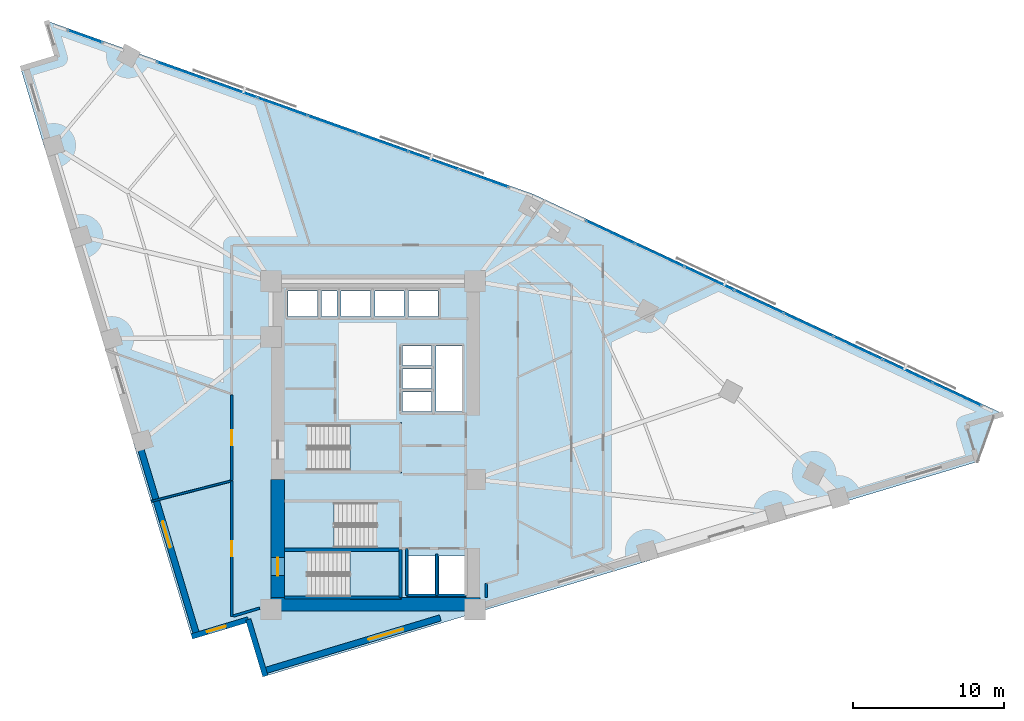
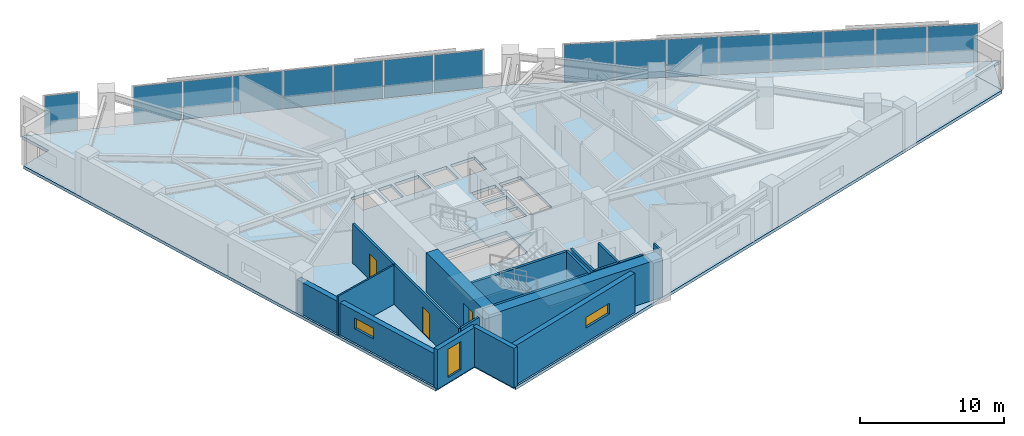
# One storey, part 9 of 16: 17 walls, 16 plates, 5 slabs, 3 doors, 3 windows, 6 openings, 6 elements without a shape of their own.
"""IFC4 building model written with IfcOpenShell, lengths in metres."""

from ifc_helpers import new_model, si_unit, direction, frame, frame_2d, origin, origin_2d, place, context, subcontext, project, spatial, polyline, rectangle, outline, extrude, material, layer, layer_set, type_object, element, fill, aggregate, save


model = new_model("IFC4")

# Units and contexts
model_context = context("Model", 3, precision=1e-05, world=origin(), true_north=direction((0.0, 1.0)))
body_context = subcontext(model_context, "Body", "Model", "MODEL_VIEW")
ifc_project = project(units=[si_unit("LENGTHUNIT", "METRE"), si_unit("AREAUNIT", "SQUARE_METRE"), si_unit("VOLUMEUNIT", "CUBIC_METRE"), si_unit("PLANEANGLEUNIT", "RADIAN"), si_unit("MASSUNIT", "GRAM", prefix="KILO")], contexts=[model_context])

# Site, building, storey
site_placement = place(None, origin())
site = spatial("IfcSite", under=ifc_project, at=site_placement, CompositionType="ELEMENT")
building_placement = place(site_placement, origin())
building = spatial("IfcBuilding", under=site, at=building_placement, Name="Narakoshi Arena Tower", CompositionType="ELEMENT")
storey_placement = place(building_placement, frame((0.0, 0.0, 146.699951171875)))
storey = spatial("IfcBuildingStorey", under=building, at=storey_placement, Name="L39", CompositionType="ELEMENT", Elevation=146.699951171875)

# Curtain wall, plates
ifc_material_1 = material(Name="Anodised bronze aluminium 6063-T6", Category="aluminium")
curtain_wall_type = type_object("IfcCurtainWallType", Name="CW-HYP-MID", PredefinedType="NOTDEFINED", material=ifc_material_1)
curtain_wall_1_placement = place(storey_placement, origin())
curtain_wall_1 = element("IfcCurtainWall", 1, at=curtain_wall_1_placement, inside=storey, type_object=curtain_wall_type, Name="L39 Folded Hypotenuse Curtain Wall 1-1", PredefinedType="NOTDEFINED")
ifc_material_2 = material(Name="Bronze-tinted low-E laminated glass", Category="glass")
ifc_layer_1 = layer(ifc_material_2, 0.0380859375)
ifc_layer_set_1 = layer_set([ifc_layer_1], Name="Bronze-tinted low-E laminated glass")
plate_type = type_object("IfcPlateType", Name="PLT-GLZ-38", PredefinedType="CURTAIN_PANEL", material=ifc_layer_set_1)
plate_1_placement = place(storey_placement, frame((117.545166015625, 49.0, 0.065185546875), z_axis=(0.0, 0.0, 1.0), x_axis=(-0.905881273009, 0.423531721612, 0.0)))
plate_1 = element("IfcPlate", 2, at=plate_1_placement, type_object=plate_type, Name="CW-02 panel 1.1", PredefinedType="CURTAIN_PANEL", context=body_context, shape_type="SweptSolid", body=[
    extrude(rectangle(XDim=3.52099609375, YDim=0.0380859375, at=origin_2d()), origin(), (0.0, 0.0, 1.0), 3.2099609375),
])
plate_2_placement = place(storey_placement, frame((114.270751953125, 50.531005859375, 0.065185546875), z_axis=(0.0, 0.0, 1.0), x_axis=(-0.905881273009, 0.423531721612, 0.0)))
plate_2 = element("IfcPlate", 3, at=plate_2_placement, type_object=plate_type, Name="CW-02 panel 2.1", PredefinedType="CURTAIN_PANEL", context=body_context, shape_type="SweptSolid", body=[
    extrude(rectangle(XDim=3.558349609375, YDim=0.0380859375, at=origin_2d()), origin(), (0.0, 0.0, 1.0), 3.2099609375),
])
plate_3_placement = place(storey_placement, frame((110.979248046875, 52.06982421875, 0.065185546875), z_axis=(0.0, 0.0, 1.0), x_axis=(-0.905881273009, 0.423531721612, 0.0)))
plate_3 = element("IfcPlate", 4, at=plate_3_placement, type_object=plate_type, Name="CW-02 panel 3.1", PredefinedType="CURTAIN_PANEL", context=body_context, shape_type="SweptSolid", body=[
    extrude(rectangle(XDim=3.558349609375, YDim=0.0380859375, at=origin_2d()), origin(), (0.0, 0.0, 1.0), 3.2099609375),
])
plate_4_placement = place(storey_placement, frame((107.687744140625, 53.60888671875, 0.065185546875), z_axis=(0.0, 0.0, 1.0), x_axis=(-0.905881273009, 0.423531721612, 0.0)))
plate_4 = element("IfcPlate", 5, at=plate_4_placement, type_object=plate_type, Name="CW-02 panel 4.1", PredefinedType="CURTAIN_PANEL", context=body_context, shape_type="SweptSolid", body=[
    extrude(rectangle(XDim=3.558349609375, YDim=0.0380859375, at=origin_2d()), origin(), (0.0, 0.0, 1.0), 3.2099609375),
])
plate_5_placement = place(storey_placement, frame((104.396240234375, 55.147705078125, 0.065185546875), z_axis=(0.0, 0.0, 1.0), x_axis=(-0.905881273009, 0.423531721612, 0.0)))
plate_5 = element("IfcPlate", 6, at=plate_5_placement, type_object=plate_type, Name="CW-02 panel 5.1", PredefinedType="CURTAIN_PANEL", context=body_context, shape_type="SweptSolid", body=[
    extrude(rectangle(XDim=3.558349609375, YDim=0.0380859375, at=origin_2d()), origin(), (0.0, 0.0, 1.0), 3.2099609375),
])
plate_6_placement = place(storey_placement, frame((101.104736328125, 56.6865234375, 0.065185546875), z_axis=(0.0, 0.0, 1.0), x_axis=(-0.905881273009, 0.423531721612, 0.0)))
plate_6 = element("IfcPlate", 7, at=plate_6_placement, type_object=plate_type, Name="CW-02 panel 6.1", PredefinedType="CURTAIN_PANEL", context=body_context, shape_type="SweptSolid", body=[
    extrude(rectangle(XDim=3.558349609375, YDim=0.0380859375, at=origin_2d()), origin(), (0.0, 0.0, 1.0), 3.2099609375),
])
plate_7_placement = place(storey_placement, frame((97.813232421875, 58.2255859375, 0.065185546875), z_axis=(0.0, 0.0, 1.0), x_axis=(-0.905881273009, 0.423531721612, 0.0)))
plate_7 = element("IfcPlate", 8, at=plate_7_placement, type_object=plate_type, Name="CW-02 panel 7.1", PredefinedType="CURTAIN_PANEL", context=body_context, shape_type="SweptSolid", body=[
    extrude(rectangle(XDim=3.558349609375, YDim=0.0380859375, at=origin_2d()), origin(), (0.0, 0.0, 1.0), 3.2099609375),
])
plate_8_placement = place(storey_placement, frame((94.538818359375, 59.75634765625, 0.065185546875), z_axis=(0.0, 0.0, 1.0), x_axis=(-0.905881273009, 0.423531721612, 0.0)))
plate_8 = element("IfcPlate", 9, at=plate_8_placement, type_object=plate_type, Name="CW-02 panel 8.1", PredefinedType="CURTAIN_PANEL", context=body_context, shape_type="SweptSolid", body=[
    extrude(rectangle(XDim=3.52099609375, YDim=0.0380859375, at=origin_2d()), origin(), (0.0, 0.0, 1.0), 3.2099609375),
])
aggregate(curtain_wall_1, [plate_1, plate_2, plate_3, plate_4, plate_5, plate_6, plate_7, plate_8])

curtain_wall_2_placement = place(storey_placement, origin())
curtain_wall_2 = element("IfcCurtainWall", 10, at=curtain_wall_2_placement, inside=storey, type_object=curtain_wall_type, Name="L39 Folded Hypotenuse Curtain Wall 2-1", PredefinedType="NOTDEFINED")
plate_9_placement = place(storey_placement, frame((86.125244140625, 63.327880859375, 0.065185546875), z_axis=(0.0, 0.0, 1.0), x_axis=(-0.94203368957, 0.335518297139, 0.0)))
plate_9 = element("IfcPlate", 11, at=plate_9_placement, type_object=plate_type, Name="CW-02 panel 1.1", PredefinedType="CURTAIN_PANEL", context=body_context, shape_type="SweptSolid", body=[
    extrude(rectangle(XDim=3.437744140625, YDim=0.0380859375, at=origin_2d()), origin(), (0.0, 0.0, 1.0), 3.2099609375),
])
plate_10_placement = place(storey_placement, frame((82.79833984375, 64.512939453125, 0.065185546875), z_axis=(0.0, 0.0, 1.0), x_axis=(-0.94203368957, 0.335518297139, 0.0)))
plate_10 = element("IfcPlate", 12, at=plate_10_placement, type_object=plate_type, Name="CW-02 panel 2.1", PredefinedType="CURTAIN_PANEL", context=body_context, shape_type="SweptSolid", body=[
    extrude(rectangle(XDim=3.475341796875, YDim=0.0380859375, at=origin_2d()), origin(), (0.0, 0.0, 1.0), 3.2099609375),
])
plate_11_placement = place(storey_placement, frame((79.453857421875, 65.7041015625, 0.065185546875), z_axis=(0.0, 0.0, 1.0), x_axis=(-0.94203368957, 0.335518297139, 0.0)))
plate_11 = element("IfcPlate", 13, at=plate_11_placement, type_object=plate_type, Name="CW-02 panel 3.1", PredefinedType="CURTAIN_PANEL", context=body_context, shape_type="SweptSolid", body=[
    extrude(rectangle(XDim=3.475341796875, YDim=0.0380859375, at=origin_2d()), origin(), (0.0, 0.0, 1.0), 3.2099609375),
])
plate_12_placement = place(storey_placement, frame((76.109130859375, 66.895263671875, 0.065185546875), z_axis=(0.0, 0.0, 1.0), x_axis=(-0.94203368957, 0.335518297139, 0.0)))
plate_12 = element("IfcPlate", 14, at=plate_12_placement, type_object=plate_type, Name="CW-02 panel 4.1", PredefinedType="CURTAIN_PANEL", context=body_context, shape_type="SweptSolid", body=[
    extrude(rectangle(XDim=3.475341796875, YDim=0.0380859375, at=origin_2d()), origin(), (0.0, 0.0, 1.0), 3.2099609375),
])
plate_13_placement = place(storey_placement, frame((72.7646484375, 68.08642578125, 0.065185546875), z_axis=(0.0, 0.0, 1.0), x_axis=(-0.94203368957, 0.335518297139, 0.0)))
plate_13 = element("IfcPlate", 15, at=plate_13_placement, type_object=plate_type, Name="CW-02 panel 5.1", PredefinedType="CURTAIN_PANEL", context=body_context, shape_type="SweptSolid", body=[
    extrude(rectangle(XDim=3.475341796875, YDim=0.0380859375, at=origin_2d()), origin(), (0.0, 0.0, 1.0), 3.2099609375),
])
plate_14_placement = place(storey_placement, frame((69.420166015625, 69.277587890625, 0.065185546875), z_axis=(0.0, 0.0, 1.0), x_axis=(-0.94203368957, 0.335518297139, 0.0)))
plate_14 = element("IfcPlate", 16, at=plate_14_placement, type_object=plate_type, Name="CW-02 panel 6.1", PredefinedType="CURTAIN_PANEL", context=body_context, shape_type="SweptSolid", body=[
    extrude(rectangle(XDim=3.475341796875, YDim=0.0380859375, at=origin_2d()), origin(), (0.0, 0.0, 1.0), 3.2099609375),
])
plate_15_placement = place(storey_placement, frame((66.09326171875, 70.462646484375, 0.065185546875), z_axis=(0.0, 0.0, 1.0), x_axis=(-0.94203368957, 0.335518297139, 0.0)))
plate_15 = element("IfcPlate", 17, at=plate_15_placement, type_object=plate_type, Name="CW-02 panel 7.1", PredefinedType="CURTAIN_PANEL", context=body_context, shape_type="SweptSolid", body=[
    extrude(rectangle(XDim=3.437744140625, YDim=0.0380859375, at=origin_2d()), origin(), (0.0, 0.0, 1.0), 3.2099609375),
])
aggregate(curtain_wall_2, [plate_9, plate_10, plate_11, plate_12, plate_13, plate_14, plate_15])

# Curtain wall, plate
curtain_wall_3_placement = place(storey_placement, origin())
curtain_wall_3 = element("IfcCurtainWall", 18, at=curtain_wall_3_placement, inside=storey, type_object=curtain_wall_type, Name="L39 Folded Hypotenuse Curtain Wall 2-2", PredefinedType="NOTDEFINED")
plate_16_placement = place(storey_placement, frame((59.671142578125, 72.75, 0.065185546875), z_axis=(0.0, 0.0, 1.0), x_axis=(-0.942025293591, 0.335541869571, 0.0)))
plate_16 = element("IfcPlate", 19, at=plate_16_placement, type_object=plate_type, Name="CW-02 panel 1.1", PredefinedType="CURTAIN_PANEL", context=body_context, shape_type="SweptSolid", body=[
    extrude(rectangle(XDim=2.3779296875, YDim=0.0380859375, at=origin_2d()), origin(), (0.0, 0.0, 1.0), 3.2099609375),
])
aggregate(curtain_wall_3, [plate_16])

# Stair, slab
ifc_material_3 = material(Name="Concrete C45/55", Category="concrete")
stair_type = type_object("IfcStairType", Name="STR-CORE-360", PredefinedType="TWO_STRAIGHT_RUN_STAIR", material=ifc_material_3)
stair_1_placement = place(storey_placement, origin())
stair_1 = element("IfcStair", 20, at=stair_1_placement, inside=storey, type_object=stair_type, Name="L39 Core Escape Stair ST1", PredefinedType="TWO_STRAIGHT_RUN_STAIR")
ifc_layer_2 = layer(ifc_material_3, 0.18994140625)
ifc_layer_set_2 = layer_set([ifc_layer_2], Name="Concrete C45/55")
slab_type_1 = type_object("IfcSlabType", Name="SLB-LND-190", PredefinedType="LANDING", material=ifc_layer_set_2)
slab_1_placement = place(storey_placement, frame((0.0, 0.0, 1.610107421875)))
slab_1 = element("IfcSlab", 21, at=slab_1_placement, type_object=slab_type_1, Name="ST1 landing 1", PredefinedType="LANDING", context=body_context, shape_type="SweptSolid", body=[
    extrude(outline(polyline([(77.25, 35.3701171875), (80.679931640625, 35.3701171875), (80.679931640625, 38.72998046875), (77.25, 38.72998046875), (77.25, 35.3701171875)])), origin(), (0.0, 0.0, 1.0), 0.18994140625),
])
aggregate(stair_1, [slab_1])

stair_2_placement = place(storey_placement, origin())
stair_2 = element("IfcStair", 22, at=stair_2_placement, inside=storey, type_object=stair_type, Name="L39 Core Escape Stair ST2", PredefinedType="TWO_STRAIGHT_RUN_STAIR")
slab_2_placement = place(storey_placement, frame((0.0, 0.0, 1.610107421875)))
slab_2 = element("IfcSlab", 23, at=slab_2_placement, type_object=slab_type_1, Name="ST2 landing 1", PredefinedType="LANDING", context=body_context, shape_type="SweptSolid", body=[
    extrude(outline(polyline([(72.77001953125, 38.6201171875), (76.199951171875, 38.6201171875), (76.199951171875, 41.97998046875), (72.77001953125, 41.97998046875), (72.77001953125, 38.6201171875)])), origin(), (0.0, 0.0, 1.0), 0.18994140625),
])
aggregate(stair_2, [slab_2])

stair_3_placement = place(storey_placement, origin())
stair_3 = element("IfcStair", 24, at=stair_3_placement, inside=storey, type_object=stair_type, Name="L39 Core Escape Stair ST3", PredefinedType="TWO_STRAIGHT_RUN_STAIR")
slab_3_placement = place(storey_placement, frame((0.0, 0.0, 1.610107421875)))
slab_3 = element("IfcSlab", 25, at=slab_3_placement, type_object=slab_type_1, Name="ST3 landing 1", PredefinedType="LANDING", context=body_context, shape_type="SweptSolid", body=[
    extrude(outline(polyline([(77.25, 43.77001953125), (80.679931640625, 43.77001953125), (80.679931640625, 47.1298828125), (77.25, 47.1298828125), (77.25, 43.77001953125)])), origin(), (0.0, 0.0, 1.0), 0.18994140625),
])
aggregate(stair_3, [slab_3])

# Slabs
ifc_material_4 = material(Name="Concrete C50/60", Category="concrete")
ifc_layer_3 = layer(ifc_material_4, 0.260009765625)
ifc_layer_set_3 = layer_set([ifc_layer_3], Name="Concrete C50/60")
slab_type_2 = type_object("IfcSlabType", Name="SLB-SKY-260", PredefinedType="FLOOR", material=ifc_layer_set_3)
slab_4_placement = place(storey_placement, frame((0.0, 0.0, -0.260009765625)))
element("IfcSlab", 26, at=slab_4_placement, inside=storey, type_object=slab_type_2, Name="L39 Structural Floor Slab", PredefinedType="FLOOR", context=body_context, shape_type="SweptSolid", body=[
    extrude(outline(polyline([(71.635498046875, 30.28857421875), (118.908935546875, 44.51611328125), (118.17333984375, 46.96044921875), (120.61767578125, 47.696044921875), (89.422119140625, 62.281005859375), (57.107666015625, 73.790283203125), (57.84326171875, 71.34619140625), (55.39892578125, 70.610595703125), (66.743408203125, 32.917236328125), (70.50390625, 34.048828125), (71.635498046875, 30.28857421875)]), holes=[polyline([(80.5, 35.550048828125), (74.47998046875, 35.550048828125), (74.47998046875, 38.550048828125), (80.5, 38.550048828125), (80.5, 35.550048828125)]), polyline([(82.89990234375, 35.75), (81.14990234375, 35.75), (81.14990234375, 38.25), (82.89990234375, 38.25), (82.89990234375, 35.75)]), polyline([(83.14990234375, 35.75), (83.14990234375, 38.25), (84.89990234375, 38.25), (84.89990234375, 35.75), (83.14990234375, 35.75)]), polyline([(72.949951171875, 38.800048828125), (72.949951171875, 41.800048828125), (78.969970703125, 41.800048828125), (78.969970703125, 38.800048828125), (72.949951171875, 38.800048828125)]), polyline([(74.47998046875, 43.949951171875), (74.47998046875, 46.949951171875), (80.5, 46.949951171875), (80.5, 43.949951171875), (74.47998046875, 43.949951171875)]), polyline([(82.949951171875, 47.840087890625), (82.949951171875, 52.199951171875), (84.699951171875, 52.199951171875), (84.699951171875, 47.840087890625), (82.949951171875, 47.840087890625)]), polyline([(80.75, 47.85009765625), (80.75, 49.14990234375), (82.64990234375, 49.14990234375), (82.64990234375, 47.85009765625), (80.75, 47.85009765625)]), polyline([(80.75, 49.3701171875), (80.75, 50.669921875), (82.64990234375, 50.669921875), (82.64990234375, 49.3701171875), (80.75, 49.3701171875)]), polyline([(80.75, 50.889892578125), (80.75, 52.18994140625), (82.64990234375, 52.18994140625), (82.64990234375, 50.889892578125), (80.75, 50.889892578125)]), polyline([(73.14990234375, 54.14990234375), (73.14990234375, 55.85009765625), (75.10009765625, 55.85009765625), (75.10009765625, 54.14990234375), (73.14990234375, 54.14990234375)]), polyline([(75.35009765625, 54.14990234375), (75.35009765625, 55.85009765625), (76.39990234375, 55.85009765625), (76.39990234375, 54.14990234375), (75.35009765625, 54.14990234375)]), polyline([(76.64990234375, 54.14990234375), (76.64990234375, 55.85009765625), (78.60009765625, 55.85009765625), (78.60009765625, 54.14990234375), (76.64990234375, 54.14990234375)]), polyline([(78.89990234375, 54.14990234375), (78.89990234375, 55.85009765625), (80.85009765625, 55.85009765625), (80.85009765625, 54.14990234375), (78.89990234375, 54.14990234375)]), polyline([(81.14990234375, 54.14990234375), (81.14990234375, 55.85009765625), (83.10009765625, 55.85009765625), (83.10009765625, 54.14990234375), (81.14990234375, 54.14990234375)])]), origin(), (0.0, 0.0, 1.0), 0.260009765625),
])
ifc_layer_4 = layer(ifc_material_3, 0.239990234375)
ifc_layer_set_4 = layer_set([ifc_layer_4], Name="Concrete C45/55")
slab_type_3 = type_object("IfcSlabType", Name="SLB-TERR-240", PredefinedType="ROOF", material=ifc_layer_set_4)
slab_5_placement = place(storey_placement, frame((0.0, 0.0, -0.239990234375)))
element("IfcSlab", 27, at=slab_5_placement, inside=storey, type_object=slab_type_3, Name="L39 Corner Notch Loggia Balcony Slab", PredefinedType="ROOF", context=body_context, shape_type="SweptSolid", body=[
    extrude(outline(polyline([(119.98095703125, 47.5029296875), (118.176025390625, 46.958984375), (118.909912109375, 44.51904296875), (119.98095703125, 47.5029296875)])), origin(), (0.0, 0.0, 1.0), 0.239990234375),
])

# Wall, opening, door
ifc_material_5 = material(Name="Concrete C60/75", Category="concrete")
ifc_layer_5 = layer(ifc_material_5, 0.89990234375)
ifc_layer_set_5 = layer_set([ifc_layer_5], Name="Concrete C60/75")
wall_type_1 = type_object("IfcWallType", Name="WL-CORE-900", PredefinedType="SHEAR", material=ifc_layer_set_5)
wall_1_placement = place(storey_placement, frame((72.449951171875, 35.5, -0.260009765625), z_axis=(0.0, 0.0, 1.0), x_axis=(0.0, 1.0, 0.0)))
wall_1 = element("IfcWall", 28, at=wall_1_placement, inside=storey, type_object=wall_type_1, Name="L39 Central Core Shear Wall CW-APX-W", PredefinedType="SHEAR", context=body_context, shape_type="SweptSolid", body=[
    extrude(rectangle(XDim=7.85009765625, YDim=0.89990234375, at=frame_2d((3.925048828125, 0.0))), origin(), (0.0, 0.0, 1.0), 3.60009765625),
])
opening_1_placement = place(wall_1_placement, frame((1.449951171875, 0.0, 0.260009765625)))
opening_1 = element("IfcOpeningElement", 29, at=opening_1_placement, cuts=wall_1, Name="Opening D-03", PredefinedType="OPENING", context=body_context, shape_type="SweptSolid", body=[
    extrude(rectangle(XDim=1.199951171875, YDim=2.199951171875, at=frame_2d((0.60009765625, 1.10009765625))), frame((0.0, 0.4599609375, 0.0), z_axis=(0.0, -1.0, 0.0), x_axis=(1.0, 0.0, 0.0)), (0.0, 0.0, 1.0), 0.919921875),
])
ifc_material_6 = material(Name="Painted galvanized steel", Category="steel")
door_type_1 = type_object("IfcDoorType", Name="DR-STR-1200", OperationType="NOTDEFINED", PredefinedType="USERDEFINED", material=ifc_material_6)
door_1_placement = place(opening_1_placement, frame((1.199951171875, 0.0, 0.0), z_axis=(0.0, 0.0, 1.0), x_axis=(-1.0, 0.0, 0.0)))
door_1 = element("IfcDoor", 30, at=door_1_placement, inside=storey, type_object=door_type_1, Name="DR-L39-002", ObjectType="EXITDOOR", OperationType="SINGLE_SWING_LEFT", OverallHeight=2.199951171875, OverallWidth=1.199951171875, PredefinedType="USERDEFINED", context=body_context, shape_type="SweptSolid", body=[
    extrude(rectangle(XDim=1.199951171875, YDim=2.199951171875, at=frame_2d((0.60009765625, 1.10009765625))), frame((0.0, 0.02490234375, 0.0), z_axis=(0.0, -1.0, 0.0), x_axis=(1.0, 0.0, 0.0)), (0.0, 0.0, 1.0), 0.050048828125),
])
fill(opening_1, door_1)

# Wall
wall_2_placement = place(storey_placement, frame((72.0, 35.050048828125, -0.260009765625), z_axis=(0.0, 0.0, 1.0), x_axis=(1.0, 0.0, 0.0)))
element("IfcWall", 31, at=wall_2_placement, inside=storey, type_object=wall_type_1, Name="L39 Central Core Shear Wall CW-APX-S", PredefinedType="SHEAR", context=body_context, shape_type="SweptSolid", body=[
    extrude(rectangle(XDim=13.89990234375, YDim=0.89990234375, at=frame_2d((6.949951171875, 0.0))), origin(), (0.0, 0.0, 1.0), 3.60009765625),
])

# Wall, opening, door
ifc_material_7 = material(Name="Gypsum plasterboard fire-rated partition")
ifc_layer_6 = layer(ifc_material_7, 0.1650390625)
ifc_layer_set_6 = layer_set([ifc_layer_6], Name="Gypsum plasterboard fire-rated partition")
wall_type_2 = type_object("IfcWallType", Name="WL-CORR-165", PredefinedType="PARTITIONING", material=ifc_layer_set_6)
wall_3_placement = place(storey_placement, frame((69.39990234375, 43.252685546875, 0.0), z_axis=(0.0, 0.0, 1.0), x_axis=(0.0, -1.0, 0.0)))
wall_3 = element("IfcWall", 32, at=wall_3_placement, inside=storey, type_object=wall_type_2, Name="L39 Corridor Partition 01-1", PredefinedType="PARTITIONING", context=body_context, shape_type="SweptSolid", body=[
    extrude(rectangle(XDim=9.013671875, YDim=0.1650390625, at=frame_2d((4.5068359375, 0.0))), origin(), (0.0, 0.0, 1.0), 3.340087890625),
])
opening_2_placement = place(wall_3_placement, frame((4.0068359375, 0.0, 0.0)))
opening_2 = element("IfcOpeningElement", 33, at=opening_2_placement, cuts=wall_3, Name="Opening D-06", PredefinedType="OPENING", context=body_context, shape_type="SweptSolid", body=[
    extrude(rectangle(XDim=1.0, YDim=2.199951171875, at=frame_2d((0.5, 1.10009765625))), frame((0.0, 0.092529296875, 0.0), z_axis=(0.0, -1.0, 0.0), x_axis=(1.0, 0.0, 0.0)), (0.0, 0.0, 1.0), 0.18505859375),
])
ifc_material_8 = material(Name="Stained oak solid-core timber", Category="wood")
door_type_2 = type_object("IfcDoorType", Name="DR-OFF-1000", OperationType="NOTDEFINED", PredefinedType="DOOR", material=ifc_material_8)
door_2_placement = place(opening_2_placement, frame((1.0, 0.0, 0.0), z_axis=(0.0, 0.0, 1.0), x_axis=(-1.0, 0.0, 0.0)))
door_2 = element("IfcDoor", 34, at=door_2_placement, inside=storey, type_object=door_type_2, Name="DR-L39-015", OperationType="SINGLE_SWING_LEFT", OverallHeight=2.199951171875, OverallWidth=1.0, PredefinedType="DOOR", context=body_context, shape_type="SweptSolid", body=[
    extrude(rectangle(XDim=1.0, YDim=2.199951171875, at=frame_2d((0.5, 1.10009765625))), frame((0.0, 0.02490234375, 0.0), z_axis=(0.0, -1.0, 0.0), x_axis=(1.0, 0.0, 0.0)), (0.0, 0.0, 1.0), 0.050048828125),
])
fill(opening_2, door_2)

# Wall
wall_4_placement = place(storey_placement, frame((69.494384765625, 34.267333984375, 0.0), z_axis=(0.0, 0.0, 1.0), x_axis=(0.957580376673, 0.288166309987, 0.0)))
element("IfcWall", 35, at=wall_4_placement, inside=storey, type_object=wall_type_2, Name="L39 Corridor Partition 01-2", PredefinedType="PARTITIONING", context=body_context, shape_type="SweptSolid", body=[
    extrude(rectangle(XDim=1.83349609375, YDim=0.1650390625, at=frame_2d((0.916748046875, 0.0))), origin(), (0.0, 0.0, 1.0), 3.340087890625),
])

# Wall, opening, door
wall_5_placement = place(storey_placement, frame((69.39990234375, 48.943603515625, 0.0), z_axis=(0.0, 0.0, 1.0), x_axis=(0.0, -1.0, 0.0)))
wall_5 = element("IfcWall", 36, at=wall_5_placement, inside=storey, type_object=wall_type_2, Name="L39 Corridor Partition 09-1", PredefinedType="PARTITIONING", context=body_context, shape_type="SweptSolid", body=[
    extrude(rectangle(XDim=5.666259765625, YDim=0.1650390625, at=frame_2d((2.8330078125, 0.0))), origin(), (0.0, 0.0, 1.0), 3.340087890625),
])
opening_3_placement = place(wall_5_placement, frame((2.3330078125, 0.0, 0.0)))
opening_3 = element("IfcOpeningElement", 37, at=opening_3_placement, cuts=wall_5, Name="Opening D-06", PredefinedType="OPENING", context=body_context, shape_type="SweptSolid", body=[
    extrude(rectangle(XDim=1.0, YDim=2.199951171875, at=frame_2d((0.5, 1.10009765625))), frame((0.0, 0.092529296875, 0.0), z_axis=(0.0, -1.0, 0.0), x_axis=(1.0, 0.0, 0.0)), (0.0, 0.0, 1.0), 0.18505859375),
])
door_3_placement = place(opening_3_placement, frame((1.0, 0.0, 0.0), z_axis=(0.0, 0.0, 1.0), x_axis=(-1.0, 0.0, 0.0)))
door_3 = element("IfcDoor", 38, at=door_3_placement, inside=storey, type_object=door_type_2, Name="DR-L39-023", OperationType="SINGLE_SWING_LEFT", OverallHeight=2.199951171875, OverallWidth=1.0, PredefinedType="DOOR", context=body_context, shape_type="SweptSolid", body=[
    extrude(rectangle(XDim=1.0, YDim=2.199951171875, at=frame_2d((0.5, 1.10009765625))), frame((0.0, 0.02490234375, 0.0), z_axis=(0.0, -1.0, 0.0), x_axis=(1.0, 0.0, 0.0)), (0.0, 0.0, 1.0), 0.050048828125),
])
fill(opening_3, door_3)

# Wall
ifc_layer_7 = layer(ifc_material_7, 0.125)
ifc_layer_set_7 = layer_set([ifc_layer_7], Name="Gypsum plasterboard fire-rated partition")
wall_type_3 = type_object("IfcWallType", Name="WL-PART-125", PredefinedType="PARTITIONING", material=ifc_layer_set_7)
wall_6_placement = place(storey_placement, frame((64.04541015625, 41.88134765625, 0.0), z_axis=(0.0, 0.0, 1.0), x_axis=(0.968732619016, 0.248107059259, 0.0)))
element("IfcWall", 39, at=wall_6_placement, inside=storey, type_object=wall_type_3, Name="L39 Inter-Room Partition 01-09", PredefinedType="PARTITIONING", context=body_context, shape_type="SweptSolid", body=[
    extrude(rectangle(XDim=5.4296875, YDim=0.125, at=frame_2d((2.71484375, 0.0))), origin(), (0.0, 0.0, 1.0), 3.340087890625),
])

# Wall, opening, window
ifc_material_9 = material(Name="Precast concrete C45/55", Category="concrete")
ifc_layer_8 = layer(ifc_material_9, 0.419921875)
ifc_layer_set_8 = layer_set([ifc_layer_8], Name="Precast concrete C45/55")
wall_type_4 = type_object("IfcWallType", Name="WL-POD-420", PredefinedType="SOLIDWALL", material=ifc_layer_set_8)
wall_7_placement = place(storey_placement, frame((71.53466796875, 30.62353515625, 0.0), z_axis=(0.0, 0.0, 1.0), x_axis=(0.957571099539, 0.288197136226, 0.0)))
wall_7 = element("IfcWall", 40, at=wall_7_placement, inside=storey, type_object=wall_type_4, Name="L39 Architectural Concrete Facade Wall LEGA-1", PredefinedType="SOLIDWALL", context=body_context, shape_type="SweptSolid", body=[
    extrude(rectangle(XDim=12.23583984375, YDim=0.419921875, at=frame_2d((6.117919921875, 0.0))), origin(), (0.0, 0.0, 1.0), 3.340087890625),
])
opening_4_placement = place(wall_7_placement, frame((7.263916015625, 0.0, 1.199951171875)))
opening_4 = element("IfcOpeningElement", 41, at=opening_4_placement, cuts=wall_7, Name="Opening WN-01", PredefinedType="OPENING", context=body_context, shape_type="SweptSolid", body=[
    extrude(rectangle(XDim=2.39990234375, YDim=0.89990234375, at=frame_2d((1.199951171875, 0.449951171875))), frame((0.0, 0.219970703125, 0.0), z_axis=(0.0, -1.0, 0.0), x_axis=(1.0, 0.0, 0.0)), (0.0, 0.0, 1.0), 0.43994140625),
])
window_type_1 = type_object("IfcWindowType", Name="WIN-SLT-24x09", PartitioningType="SINGLE_PANEL", PredefinedType="WINDOW", material=ifc_material_2)
window_1_placement = place(opening_4_placement, origin())
window_1 = element("IfcWindow", 42, at=window_1_placement, inside=storey, type_object=window_type_1, Name="L39 LEGA1 Horizontal Slot Window 1", OverallHeight=0.89990234375, OverallWidth=2.39990234375, PartitioningType="SINGLE_PANEL", PredefinedType="WINDOW", context=body_context, shape_type="SweptSolid", body=[
    extrude(rectangle(XDim=2.39990234375, YDim=0.89990234375, at=frame_2d((1.199951171875, 0.449951171875))), frame((0.0, 0.030029296875, 0.0), z_axis=(0.0, -1.0, 0.0), x_axis=(1.0, 0.0, 0.0)), (0.0, 0.0, 1.0), 0.06005859375),
])
fill(opening_4, window_1)

wall_8_placement = place(storey_placement, frame((63.221435546875, 45.833740234375, 0.0), z_axis=(0.0, 0.0, 1.0), x_axis=(0.288202962273, -0.957569346072, 0.0)))
wall_8 = element("IfcWall", 43, at=wall_8_placement, inside=storey, type_object=wall_type_4, Name="L39 Architectural Concrete Facade Wall LEGB-3", PredefinedType="SOLIDWALL", context=body_context, shape_type="SweptSolid", body=[
    extrude(rectangle(XDim=13.383544921875, YDim=0.419921875, at=frame_2d((6.69189453125, 0.0))), origin(), (0.0, 0.0, 1.0), 2.72509765625),
])
opening_5_placement = place(wall_8_placement, frame((5.5166015625, 0.0, 1.199951171875)))
opening_5 = element("IfcOpeningElement", 44, at=opening_5_placement, cuts=wall_8, Name="Opening WN-02", PredefinedType="OPENING", context=body_context, shape_type="SweptSolid", body=[
    extrude(rectangle(XDim=1.800048828125, YDim=0.89990234375, at=frame_2d((0.89990234375, 0.449951171875))), frame((0.0, 0.219970703125, 0.0), z_axis=(0.0, -1.0, 0.0), x_axis=(1.0, 0.0, 0.0)), (0.0, 0.0, 1.0), 0.43994140625),
])
window_type_2 = type_object("IfcWindowType", Name="WIN-SLT-18x09", PartitioningType="SINGLE_PANEL", PredefinedType="WINDOW", material=ifc_material_2)
window_2_placement = place(opening_5_placement, origin())
window_2 = element("IfcWindow", 45, at=window_2_placement, inside=storey, type_object=window_type_2, Name="L39 LEGB3 Horizontal Slot Window 1", OverallHeight=0.89990234375, OverallWidth=1.800048828125, PartitioningType="SINGLE_PANEL", PredefinedType="WINDOW", context=body_context, shape_type="SweptSolid", body=[
    extrude(rectangle(XDim=1.800048828125, YDim=0.89990234375, at=frame_2d((0.89990234375, 0.449951171875))), frame((0.0, 0.030029296875, 0.0), z_axis=(0.0, -1.0, 0.0), x_axis=(1.0, 0.0, 0.0)), (0.0, 0.0, 1.0), 0.06005859375),
])
fill(opening_5, window_2)

wall_9_placement = place(storey_placement, frame((66.743408203125, 32.917236328125, 0.0), z_axis=(0.0, 0.0, 1.0), x_axis=(0.957584687378, 0.288151985068, 0.0)))
wall_9 = element("IfcWall", 46, at=wall_9_placement, inside=storey, type_object=wall_type_4, Name="L39 Re-Entrant Corner Notch Wall NTA-1", PredefinedType="SOLIDWALL", context=body_context, shape_type="SweptSolid", body=[
    extrude(rectangle(XDim=3.927001953125, YDim=0.360107421875, at=frame_2d((1.96337890625, 0.0))), origin(), (0.0, 0.0, 1.0), 3.340087890625),
])
opening_6_placement = place(wall_9_placement, frame((1.070068359375, 0.0, 0.449951171875)))
opening_6 = element("IfcOpeningElement", 47, at=opening_6_placement, cuts=wall_9, Name="Opening WN-06", PredefinedType="OPENING", context=body_context, shape_type="SweptSolid", body=[
    extrude(rectangle(XDim=1.300048828125, YDim=2.39990234375, at=frame_2d((0.64990234375, 1.199951171875))), frame((0.0, 0.18994140625, 0.0), z_axis=(0.0, -1.0, 0.0), x_axis=(1.0, 0.0, 0.0)), (0.0, 0.0, 1.0), 0.380126953125),
])
window_type_3 = type_object("IfcWindowType", Name="WIN-NTC-16x24", PartitioningType="SINGLE_PANEL", PredefinedType="WINDOW", material=ifc_material_2)
window_3_placement = place(opening_6_placement, origin())
window_3 = element("IfcWindow", 48, at=window_3_placement, inside=storey, type_object=window_type_3, Name="L39 Corner Notch Window NTA", OverallHeight=2.39990234375, OverallWidth=1.300048828125, PartitioningType="SINGLE_PANEL", PredefinedType="WINDOW", context=body_context, shape_type="SweptSolid", body=[
    extrude(rectangle(XDim=1.300048828125, YDim=2.39990234375, at=frame_2d((0.64990234375, 1.199951171875))), frame((0.0, 0.030029296875, 0.0), z_axis=(0.0, -1.0, 0.0), x_axis=(1.0, 0.0, 0.0)), (0.0, 0.0, 1.0), 0.06005859375),
])
fill(opening_6, window_3)

# Walls
wall_10_placement = place(storey_placement, frame((70.50390625, 34.048828125, 0.0), z_axis=(0.0, 0.0, 1.0), x_axis=(0.288169140251, -0.957579524952, 0.0)))
element("IfcWall", 49, at=wall_10_placement, inside=storey, type_object=wall_type_4, Name="L39 Re-Entrant Corner Notch Wall NTA-2", PredefinedType="SOLIDWALL", context=body_context, shape_type="SweptSolid", body=[
    extrude(rectangle(XDim=3.9267578125, YDim=0.360107421875, at=frame_2d((1.96337890625, 0.0))), origin(), (0.0, 0.0, 1.0), 3.340087890625),
])
ifc_material_10 = material(Name="Concrete C40/50", Category="concrete")
ifc_layer_9 = layer(ifc_material_10, 0.280029296875)
ifc_layer_set_9 = layer_set([ifc_layer_9], Name="Concrete C40/50")
wall_type_5 = type_object("IfcWallType", Name="WL-RISER-280", PredefinedType="PLUMBINGWALL", material=ifc_layer_set_9)
wall_11_placement = place(storey_placement, frame((83.0, 35.64990234375, 0.0), z_axis=(0.0, 0.0, 1.0), x_axis=(0.0, 1.0, 0.0)))
element("IfcWall", 50, at=wall_11_placement, inside=storey, type_object=wall_type_5, Name="L39 Core Wall FF-DIV", PredefinedType="PLUMBINGWALL", context=body_context, shape_type="SweptSolid", body=[
    extrude(rectangle(XDim=2.75, YDim=0.159912109375, at=frame_2d((1.375, 0.0))), origin(), (0.0, 0.0, 1.0), 3.340087890625),
])
ifc_layer_10 = layer(ifc_material_4, 0.35009765625)
ifc_layer_set_10 = layer_set([ifc_layer_10], Name="Concrete C50/60")
wall_type_6 = type_object("IfcWallType", Name="WL-SHAFT-350", PredefinedType="SOLIDWALL", material=ifc_layer_set_10)
for number, where, z_axis, x_axis, name in (
    (51, (72.919921875, 35.52001953125, -0.260009765625), (0.0, 0.0, 1.0), (1.0, 0.0, 0.0), "L39 Core Wall ST1-S"),
    (52, (72.919921875, 38.675048828125, -0.260009765625), (0.0, 0.0, 1.0), (1.0, 0.0, 0.0), "L39 Core Wall ST12-DIV"),
):
    element("IfcWall", number, at=place(storey_placement, frame(where, z_axis=z_axis, x_axis=x_axis)), inside=storey, type_object=wall_type_6, Name=name, PredefinedType="SOLIDWALL", context=body_context, shape_type="SweptSolid", body=[
        extrude(rectangle(XDim=7.7001953125, YDim=0.199951171875, at=frame_2d((3.85009765625, 0.0))), origin(), (0.0, 0.0, 1.0), 3.60009765625),
    ])
wall_12_placement = place(storey_placement, frame((80.6201171875, 35.52001953125, -0.260009765625), z_axis=(0.0, 0.0, 1.0), x_axis=(0.0, 1.0, 0.0)))
element("IfcWall", 53, at=wall_12_placement, inside=storey, type_object=wall_type_6, Name="L39 Core Wall ST1-E", PredefinedType="SOLIDWALL", context=body_context, shape_type="SweptSolid", body=[
    extrude(rectangle(XDim=3.155029296875, YDim=0.199951171875, at=frame_2d((1.57763671875, 0.0))), origin(), (0.0, 0.0, 1.0), 3.60009765625),
])
wall_13_placement = place(storey_placement, frame((81.02001953125, 35.64990234375, 0.0), z_axis=(0.0, 0.0, 1.0), x_axis=(0.0, 1.0, 0.0)))
element("IfcWall", 54, at=wall_13_placement, inside=storey, type_object=wall_type_6, Name="L39 Core Wall FF-W", PredefinedType="SOLIDWALL", context=body_context, shape_type="SweptSolid", body=[
    extrude(rectangle(XDim=3.10009765625, YDim=0.179931640625, at=frame_2d((1.550048828125, 0.0))), origin(), (0.0, 0.0, 1.0), 3.340087890625),
])
wall_14_placement = place(storey_placement, frame((81.02001953125, 35.64990234375, 0.0), z_axis=(0.0, 0.0, 1.0), x_axis=(1.0, 0.0, 0.0)))
element("IfcWall", 55, at=wall_14_placement, inside=storey, type_object=wall_type_6, Name="L39 Core Wall FF-S", PredefinedType="SOLIDWALL", context=body_context, shape_type="SweptSolid", body=[
    extrude(rectangle(XDim=3.929931640625, YDim=0.179931640625, at=frame_2d((1.96484375, 0.0))), origin(), (0.0, 0.0, 1.0), 3.340087890625),
])
ifc_material_11 = material(Name="Moisture-resistant cement-board partition")
ifc_layer_11 = layer(ifc_material_11, 0.14501953125)
ifc_layer_set_11 = layer_set([ifc_layer_11], Name="Moisture-resistant cement-board partition")
wall_type_7 = type_object("IfcWallType", Name="WL-WET-145", PredefinedType="PARTITIONING", material=ifc_layer_set_11)
wall_15_placement = place(storey_placement, frame((86.300048828125, 35.5166015625, 0.0), z_axis=(0.0, 0.0, 1.0), x_axis=(0.0, 1.0, 0.0)))
element("IfcWall", 56, at=wall_15_placement, inside=storey, type_object=wall_type_7, Name="L39 Room Enclosure Partition 02-1", PredefinedType="PARTITIONING", context=body_context, shape_type="SweptSolid", body=[
    extrude(rectangle(XDim=0.908447265625, YDim=0.14501953125, at=frame_2d((0.4541015625, 0.0))), origin(), (0.0, 0.0, 1.0), 3.340087890625),
])

save(model, "model.ifc")
